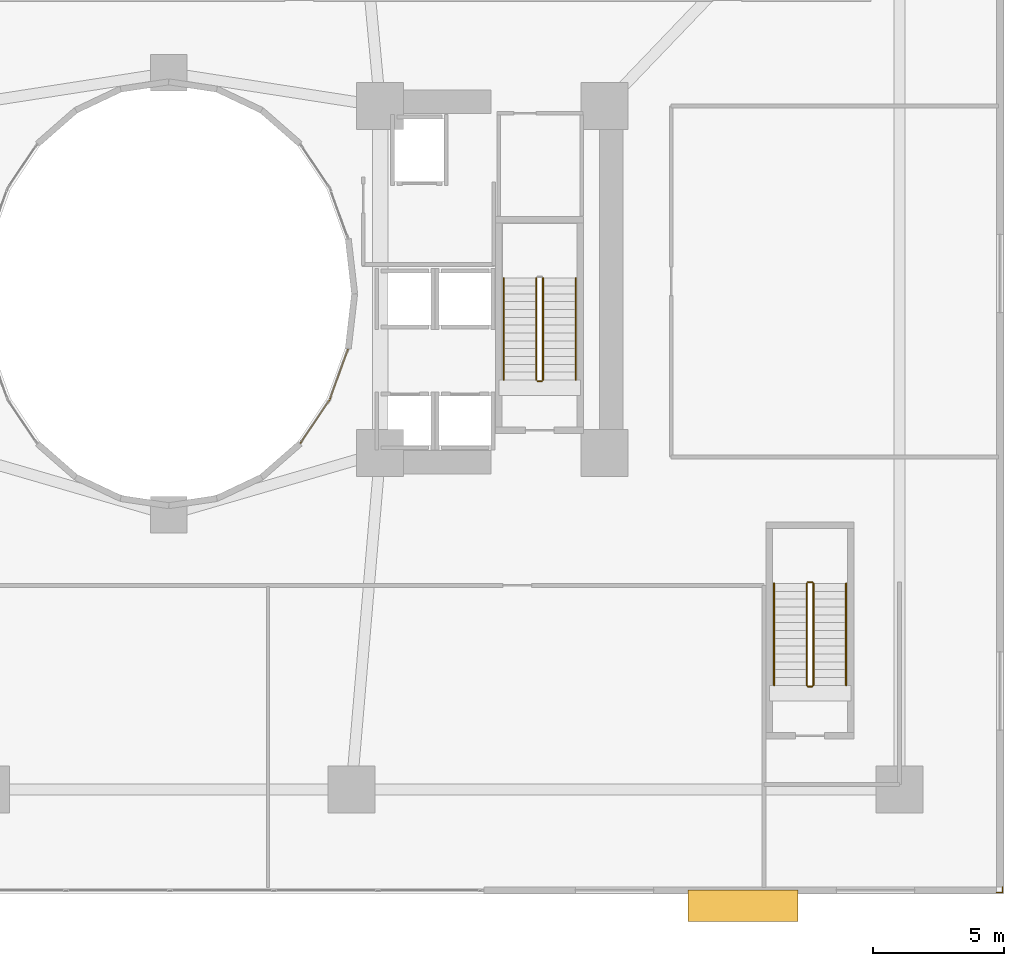
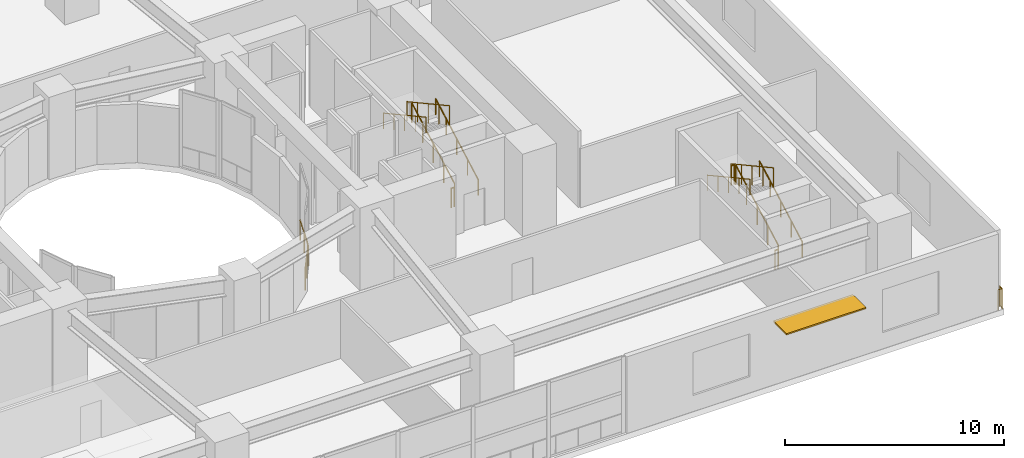
# One storey, part 22 of 25: 14 railings, 1 shading device.
"""IFC4 building model written with IfcOpenShell, lengths in metres."""

from ifc_helpers import new_model, si_unit, direction, frame, origin, origin_2d, place, context, subcontext, project, spatial, rectangle, circle, extrude, material, layer, layer_set, type_object, element, save


model = new_model("IFC4")

# Units and contexts
model_context = context("Model", 3, precision=1e-05, world=origin(), true_north=direction((0.0, 1.0)))
body_context = subcontext(model_context, "Body", "Model", "MODEL_VIEW")
ifc_project = project(units=[si_unit("LENGTHUNIT", "METRE"), si_unit("AREAUNIT", "SQUARE_METRE"), si_unit("VOLUMEUNIT", "CUBIC_METRE"), si_unit("PLANEANGLEUNIT", "RADIAN"), si_unit("MASSUNIT", "GRAM", prefix="KILO")], contexts=[model_context])

# Site, building, storey
site_placement = place(None, origin())
site = spatial("IfcSite", under=ifc_project, at=site_placement, CompositionType="ELEMENT")
building_placement = place(site_placement, origin())
building = spatial("IfcBuilding", under=site, at=building_placement, Name="Solvane Sanctuary Tower", CompositionType="ELEMENT")
storey_placement = place(building_placement, frame((0.0, 0.0, 4.60009765625)))
storey = spatial("IfcBuildingStorey", under=building, at=storey_placement, Name="L02", CompositionType="ELEMENT", Elevation=4.60009765625)

# Railings
ifc_material_1 = material(Name="Architectural Stainless Steel 316", Category="steel")
railing_type_1 = type_object("IfcRailingType", Name="Railing GR-BALC-1150", PredefinedType="BALUSTRADE", material=ifc_material_1)
railing_1_placement = place(storey_placement, frame((63.93994140625, 0.280029296875, 0.0)))
element("IfcRailing", 1, at=railing_1_placement, inside=storey, type_object=railing_type_1, Name="L02 Perimeter Slab Edge Guardrail 04", PredefinedType="BALUSTRADE", context=body_context, shape_type="SweptSolid", body=[
    extrude(circle(Radius=0.02392578125, at=origin_2d()), frame((0.0, 0.0, 1.1259765625), z_axis=(0.0, -1.0, 0.0), x_axis=(1.0, 0.0, 0.0)), (0.0, 0.0, 1.0), 0.219970703125),
    extrude(circle(Radius=0.02392578125, at=origin_2d()), frame((0.0, -0.219970703125, 1.1259765625), z_axis=(-1.0, 0.0, 0.0), x_axis=(0.0, -1.0, 0.0)), (0.0, 0.0, 1.0), 0.219970703125),
    extrude(circle(Radius=0.02099609375, at=origin_2d()), origin(), (0.0, 0.0, 1.0), 1.101806640625),
    extrude(circle(Radius=0.02099609375, at=origin_2d()), frame((0.0, -0.219970703125, 0.0)), (0.0, 0.0, 1.0), 1.101806640625),
    extrude(circle(Radius=0.02099609375, at=origin_2d()), frame((-0.219970703125, -0.219970703125, 0.0)), (0.0, 0.0, 1.0), 1.101806640625),
])
railing_2_placement = place(storey_placement, frame((46.340087890625, 19.699951171875, 0.164306640625)))
element("IfcRailing", 2, at=railing_2_placement, inside=storey, type_object=railing_type_1, Name="L02 ST-2 stair guard 1", PredefinedType="BALUSTRADE", context=body_context, shape_type="SweptSolid", body=[
    extrude(circle(Radius=0.02392578125, at=origin_2d()), frame((0.0, 0.0, 1.076171875), z_axis=(0.0, 0.877124353918, 0.480263331688), x_axis=(-1.0, 0.0, 0.0)), (0.0, 0.0, 1.0), 4.446533203125),
    extrude(circle(Radius=0.02099609375, at=origin_2d()), origin(), (0.0, 0.0, 1.0), 1.052001953125),
    extrude(circle(Radius=0.02099609375, at=origin_2d()), frame((0.0, 0.97509765625, 0.533935546875)), (0.0, 0.0, 1.0), 1.052001953125),
    extrude(circle(Radius=0.02099609375, at=origin_2d()), frame((0.0, 1.9501953125, 1.06787109375)), (0.0, 0.0, 1.0), 1.052001953125),
    extrude(circle(Radius=0.02099609375, at=origin_2d()), frame((0.0, 2.925048828125, 1.6015625)), (0.0, 0.0, 1.0), 1.052001953125),
    extrude(circle(Radius=0.02099609375, at=origin_2d()), frame((0.0, 3.900146484375, 2.135498046875)), (0.0, 0.0, 1.0), 1.052001953125),
])
railing_3_placement = place(storey_placement, frame((46.080078125, 23.60009765625, 2.464111328125)))
element("IfcRailing", 3, at=railing_3_placement, inside=storey, type_object=railing_type_1, Name="L02 ST-2 stair guard 3", PredefinedType="BALUSTRADE", context=body_context, shape_type="SweptSolid", body=[
    extrude(circle(Radius=0.02392578125, at=origin_2d()), frame((0.0, 0.0, 1.076171875), z_axis=(0.0, -0.877101224295, 0.480305571839), x_axis=(1.0, 0.0, 0.0)), (0.0, 0.0, 1.0), 4.446533203125),
    extrude(circle(Radius=0.02099609375, at=origin_2d()), origin(), (0.0, 0.0, 1.0), 1.052001953125),
    extrude(circle(Radius=0.02099609375, at=origin_2d()), frame((0.0, -0.97509765625, 0.533935546875)), (0.0, 0.0, 1.0), 1.052001953125),
    extrude(circle(Radius=0.02099609375, at=origin_2d()), frame((0.0, -1.9501953125, 1.06787109375)), (0.0, 0.0, 1.0), 1.052001953125),
    extrude(circle(Radius=0.02099609375, at=origin_2d()), frame((0.0, -2.925048828125, 1.601806640625)), (0.0, 0.0, 1.0), 1.052001953125),
    extrude(circle(Radius=0.02099609375, at=origin_2d()), frame((0.0, -3.900146484375, 2.1357421875)), (0.0, 0.0, 1.0), 1.052001953125),
])
railing_4_placement = place(storey_placement, frame((46.2900390625, 19.64990234375, 0.0)))
element("IfcRailing", 4, at=railing_4_placement, inside=storey, type_object=railing_type_1, Name="L02 ST-2 stair guard 4", PredefinedType="BALUSTRADE", context=body_context, shape_type="SweptSolid", body=[
    extrude(circle(Radius=0.02392578125, at=origin_2d()), frame((0.0, 0.0, 1.076171875), z_axis=(-1.0, 0.0, 0.0), x_axis=(0.0, -1.0, 0.0)), (0.0, 0.0, 1.0), 0.16015625),
    extrude(circle(Radius=0.02099609375, at=origin_2d()), origin(), (0.0, 0.0, 1.0), 1.052001953125),
    extrude(circle(Radius=0.02099609375, at=origin_2d()), frame((-0.16015625, 0.0, 0.0)), (0.0, 0.0, 1.0), 1.052001953125),
])
railing_5_placement = place(storey_placement, frame((56.699951171875, 8.0, 0.164306640625)))
element("IfcRailing", 5, at=railing_5_placement, inside=storey, type_object=railing_type_1, Name="L02 ST-5 stair guard 1", PredefinedType="BALUSTRADE", context=body_context, shape_type="SweptSolid", body=[
    extrude(circle(Radius=0.02392578125, at=origin_2d()), frame((0.0, 0.0, 1.076171875), z_axis=(0.0, 0.877111688762, 0.480286461851), x_axis=(-1.0, 0.0, 0.0)), (0.0, 0.0, 1.0), 4.4462890625),
    extrude(circle(Radius=0.02099609375, at=origin_2d()), origin(), (0.0, 0.0, 1.0), 1.052001953125),
    extrude(circle(Radius=0.02099609375, at=origin_2d()), frame((0.0, 0.97509765625, 0.533935546875)), (0.0, 0.0, 1.0), 1.052001953125),
    extrude(circle(Radius=0.02099609375, at=origin_2d()), frame((0.0, 1.949951171875, 1.06787109375)), (0.0, 0.0, 1.0), 1.052001953125),
    extrude(circle(Radius=0.02099609375, at=origin_2d()), frame((0.0, 2.9248046875, 1.6015625)), (0.0, 0.0, 1.0), 1.052001953125),
    extrude(circle(Radius=0.02099609375, at=origin_2d()), frame((0.0, 3.89990234375, 2.135498046875)), (0.0, 0.0, 1.0), 1.052001953125),
])
railing_6_placement = place(storey_placement, frame((56.64990234375, 11.949951171875, 2.2998046875)))
element("IfcRailing", 6, at=railing_6_placement, inside=storey, type_object=railing_type_1, Name="L02 ST-5 stair guard 2", PredefinedType="BALUSTRADE", context=body_context, shape_type="SweptSolid", body=[
    extrude(circle(Radius=0.02392578125, at=origin_2d()), frame((0.0, 0.0, 1.076171875), z_axis=(-1.0, 0.0, 0.0), x_axis=(0.0, -1.0, 0.0)), (0.0, 0.0, 1.0), 0.159912109375),
    extrude(circle(Radius=0.02099609375, at=origin_2d()), origin(), (0.0, 0.0, 1.0), 1.052001953125),
    extrude(circle(Radius=0.02099609375, at=origin_2d()), frame((-0.159912109375, 0.0, 0.0)), (0.0, 0.0, 1.0), 1.052001953125),
])
railing_7_placement = place(storey_placement, frame((56.43994140625, 11.89990234375, 2.464111328125)))
element("IfcRailing", 7, at=railing_7_placement, inside=storey, type_object=railing_type_1, Name="L02 ST-5 stair guard 3", PredefinedType="BALUSTRADE", context=body_context, shape_type="SweptSolid", body=[
    extrude(circle(Radius=0.02392578125, at=origin_2d()), frame((0.0, 0.0, 1.076171875), z_axis=(0.0, -0.877088557246, 0.480328702816), x_axis=(1.0, 0.0, 0.0)), (0.0, 0.0, 1.0), 4.446533203125),
    extrude(circle(Radius=0.02099609375, at=origin_2d()), origin(), (0.0, 0.0, 1.0), 1.052001953125),
    extrude(circle(Radius=0.02099609375, at=origin_2d()), frame((0.0, -0.97509765625, 0.533935546875)), (0.0, 0.0, 1.0), 1.052001953125),
    extrude(circle(Radius=0.02099609375, at=origin_2d()), frame((0.0, -1.949951171875, 1.06787109375)), (0.0, 0.0, 1.0), 1.052001953125),
    extrude(circle(Radius=0.02099609375, at=origin_2d()), frame((0.0, -2.9248046875, 1.601806640625)), (0.0, 0.0, 1.0), 1.052001953125),
    extrude(circle(Radius=0.02099609375, at=origin_2d()), frame((0.0, -3.89990234375, 2.1357421875)), (0.0, 0.0, 1.0), 1.052001953125),
])
railing_8_placement = place(storey_placement, frame((56.64990234375, 7.949951171875, 0.0)))
element("IfcRailing", 8, at=railing_8_placement, inside=storey, type_object=railing_type_1, Name="L02 ST-5 stair guard 4", PredefinedType="BALUSTRADE", context=body_context, shape_type="SweptSolid", body=[
    extrude(circle(Radius=0.02392578125, at=origin_2d()), frame((0.0, 0.0, 1.076171875), z_axis=(-1.0, 0.0, 0.0), x_axis=(0.0, -1.0, 0.0)), (0.0, 0.0, 1.0), 0.159912109375),
    extrude(circle(Radius=0.02099609375, at=origin_2d()), origin(), (0.0, 0.0, 1.0), 1.052001953125),
    extrude(circle(Radius=0.02099609375, at=origin_2d()), frame((-0.159912109375, 0.0, 0.0)), (0.0, 0.0, 1.0), 1.052001953125),
])
railing_type_2 = type_object("IfcRailingType", Name="Railing GR-WELL-1150", PredefinedType="GUARDRAIL", material=ifc_material_1)
railing_9_placement = place(storey_placement, frame((37.056884765625, 17.29150390625, 0.0)))
element("IfcRailing", 9, at=railing_9_placement, inside=storey, type_object=railing_type_2, Name="L02 Light-Well Sill Guard 21", PredefinedType="GUARDRAIL", context=body_context, shape_type="SweptSolid", body=[
    extrude(circle(Radius=0.02392578125, at=origin_2d()), frame((0.0, 0.0, 1.1259765625), z_axis=(0.558283423748, 0.829650299083, 0.0), x_axis=(-0.829650299083, 0.558283423748, 0.0)), (0.0, 0.0, 1.0), 1.94677734375),
    extrude(circle(Radius=0.02099609375, at=origin_2d()), origin(), (0.0, 0.0, 1.0), 1.101806640625),
    extrude(circle(Radius=0.02099609375, at=origin_2d()), frame((0.54345703125, 0.8076171875, 0.0)), (0.0, 0.0, 1.0), 1.101806640625),
    extrude(circle(Radius=0.02099609375, at=origin_2d()), frame((1.0869140625, 1.615234375, 0.0)), (0.0, 0.0, 1.0), 1.101806640625),
])
railing_10_placement = place(storey_placement, frame((38.1796875, 18.9775390625, 0.0)))
element("IfcRailing", 10, at=railing_10_placement, inside=storey, type_object=railing_type_2, Name="L02 Light-Well Sill Guard 22", PredefinedType="GUARDRAIL", context=body_context, shape_type="SweptSolid", body=[
    extrude(circle(Radius=0.02392578125, at=origin_2d()), frame((0.0, 0.0, 1.1259765625), z_axis=(0.341410413021, 0.9399143205, 0.0), x_axis=(-0.9399143205, 0.341410413021, 0.0)), (0.0, 0.0, 1.0), 2.003662109375),
    extrude(circle(Radius=0.02099609375, at=origin_2d()), origin(), (0.0, 0.0, 1.0), 1.101806640625),
    extrude(circle(Radius=0.02099609375, at=origin_2d()), frame((0.342041015625, 0.941650390625, 0.0)), (0.0, 0.0, 1.0), 1.101806640625),
    extrude(circle(Radius=0.02099609375, at=origin_2d()), frame((0.68408203125, 1.88330078125, 0.0)), (0.0, 0.0, 1.0), 1.101806640625),
])
railing_type_3 = type_object("IfcRailingType", Name="Railing HR-STAIR-920", PredefinedType="HANDRAIL", material=ifc_material_1)
railing_11_placement = place(storey_placement, frame((47.590087890625, 19.699951171875, 0.164306640625)))
element("IfcRailing", 11, at=railing_11_placement, inside=storey, type_object=railing_type_3, Name="L02 ST-2 stair handrail 1", PredefinedType="HANDRAIL", context=body_context, shape_type="SweptSolid", body=[
    extrude(circle(Radius=0.02392578125, at=origin_2d()), frame((0.0, 0.0, 0.8759765625), z_axis=(0.0, 0.877124353918, 0.480263331688), x_axis=(-1.0, 0.0, 0.0)), (0.0, 0.0, 1.0), 4.446533203125),
    extrude(circle(Radius=0.02099609375, at=origin_2d()), origin(), (0.0, 0.0, 1.0), 0.851806640625),
    extrude(circle(Radius=0.02099609375, at=origin_2d()), frame((0.0, 0.97509765625, 0.533935546875)), (0.0, 0.0, 1.0), 0.851806640625),
    extrude(circle(Radius=0.02099609375, at=origin_2d()), frame((0.0, 1.9501953125, 1.06787109375)), (0.0, 0.0, 1.0), 0.851806640625),
    extrude(circle(Radius=0.02099609375, at=origin_2d()), frame((0.0, 2.925048828125, 1.6015625)), (0.0, 0.0, 1.0), 0.851806640625),
    extrude(circle(Radius=0.02099609375, at=origin_2d()), frame((0.0, 3.900146484375, 2.135498046875)), (0.0, 0.0, 1.0), 0.851806640625),
])
railing_12_placement = place(storey_placement, frame((44.830078125, 23.60009765625, 2.464111328125)))
element("IfcRailing", 12, at=railing_12_placement, inside=storey, type_object=railing_type_3, Name="L02 ST-2 stair handrail 2", PredefinedType="HANDRAIL", context=body_context, shape_type="SweptSolid", body=[
    extrude(circle(Radius=0.02392578125, at=origin_2d()), frame((0.0, 0.0, 0.8759765625), z_axis=(0.0, -0.877101224295, 0.480305571839), x_axis=(1.0, 0.0, 0.0)), (0.0, 0.0, 1.0), 4.446533203125),
    extrude(circle(Radius=0.02099609375, at=origin_2d()), origin(), (0.0, 0.0, 1.0), 0.851806640625),
    extrude(circle(Radius=0.02099609375, at=origin_2d()), frame((0.0, -0.97509765625, 0.533935546875)), (0.0, 0.0, 1.0), 0.851806640625),
    extrude(circle(Radius=0.02099609375, at=origin_2d()), frame((0.0, -1.9501953125, 1.06787109375)), (0.0, 0.0, 1.0), 0.851806640625),
    extrude(circle(Radius=0.02099609375, at=origin_2d()), frame((0.0, -2.925048828125, 1.601806640625)), (0.0, 0.0, 1.0), 0.851806640625),
    extrude(circle(Radius=0.02099609375, at=origin_2d()), frame((0.0, -3.900146484375, 2.1357421875)), (0.0, 0.0, 1.0), 0.851806640625),
])
railing_13_placement = place(storey_placement, frame((57.949951171875, 8.0, 0.164306640625)))
element("IfcRailing", 13, at=railing_13_placement, inside=storey, type_object=railing_type_3, Name="L02 ST-5 stair handrail 1", PredefinedType="HANDRAIL", context=body_context, shape_type="SweptSolid", body=[
    extrude(circle(Radius=0.02392578125, at=origin_2d()), frame((0.0, 0.0, 0.8759765625), z_axis=(0.0, 0.877111688762, 0.480286461851), x_axis=(-1.0, 0.0, 0.0)), (0.0, 0.0, 1.0), 4.4462890625),
    extrude(circle(Radius=0.02099609375, at=origin_2d()), origin(), (0.0, 0.0, 1.0), 0.851806640625),
    extrude(circle(Radius=0.02099609375, at=origin_2d()), frame((0.0, 0.97509765625, 0.533935546875)), (0.0, 0.0, 1.0), 0.851806640625),
    extrude(circle(Radius=0.02099609375, at=origin_2d()), frame((0.0, 1.949951171875, 1.06787109375)), (0.0, 0.0, 1.0), 0.851806640625),
    extrude(circle(Radius=0.02099609375, at=origin_2d()), frame((0.0, 2.9248046875, 1.6015625)), (0.0, 0.0, 1.0), 0.851806640625),
    extrude(circle(Radius=0.02099609375, at=origin_2d()), frame((0.0, 3.89990234375, 2.135498046875)), (0.0, 0.0, 1.0), 0.851806640625),
])
railing_14_placement = place(storey_placement, frame((55.18994140625, 11.89990234375, 2.464111328125)))
element("IfcRailing", 14, at=railing_14_placement, inside=storey, type_object=railing_type_3, Name="L02 ST-5 stair handrail 2", PredefinedType="HANDRAIL", context=body_context, shape_type="SweptSolid", body=[
    extrude(circle(Radius=0.02392578125, at=origin_2d()), frame((0.0, 0.0, 0.8759765625), z_axis=(0.0, -0.877088557246, 0.480328702816), x_axis=(1.0, 0.0, 0.0)), (0.0, 0.0, 1.0), 4.446533203125),
    extrude(circle(Radius=0.02099609375, at=origin_2d()), origin(), (0.0, 0.0, 1.0), 0.851806640625),
    extrude(circle(Radius=0.02099609375, at=origin_2d()), frame((0.0, -0.97509765625, 0.533935546875)), (0.0, 0.0, 1.0), 0.851806640625),
    extrude(circle(Radius=0.02099609375, at=origin_2d()), frame((0.0, -1.949951171875, 1.06787109375)), (0.0, 0.0, 1.0), 0.851806640625),
    extrude(circle(Radius=0.02099609375, at=origin_2d()), frame((0.0, -2.9248046875, 1.601806640625)), (0.0, 0.0, 1.0), 0.851806640625),
    extrude(circle(Radius=0.02099609375, at=origin_2d()), frame((0.0, -3.89990234375, 2.1357421875)), (0.0, 0.0, 1.0), 0.851806640625),
])

# Shading device
ifc_material_2 = material(Name="Anodised Aluminium 6063-T6", Category="aluminium")
ifc_layer = layer(ifc_material_2, 0.080078125, Name="Anodised Aluminium 6063-T6")
ifc_layer_set = layer_set([ifc_layer], Name="Anodised Aluminium 6063-T6")
shading_device_type = type_object("IfcShadingDeviceType", Name="Shading SHD-SUNSHADE", PredefinedType="AWNING", material=ifc_layer_set)
shading_device_placement = place(storey_placement, frame((54.0, -0.449951171875, 3.409912109375), z_axis=(0.0, 0.0, 1.0), x_axis=(1.0, 0.0, 0.0)))
element("IfcShadingDevice", 15, at=shading_device_placement, inside=storey, type_object=shading_device_type, Name="L02 Tropical Sunshade Canopy S2", PredefinedType="AWNING", context=body_context, shape_type="SweptSolid", body=[
    extrude(rectangle(XDim=4.199951171875, YDim=1.199951171875, at=origin_2d()), origin(), (0.0, 0.0, 1.0), 0.080078125),
])

save(model, "model.ifc")
